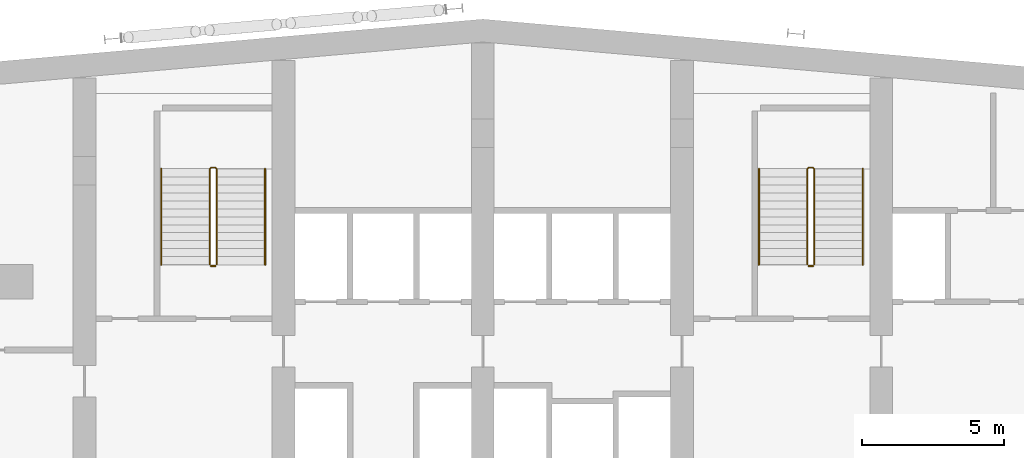
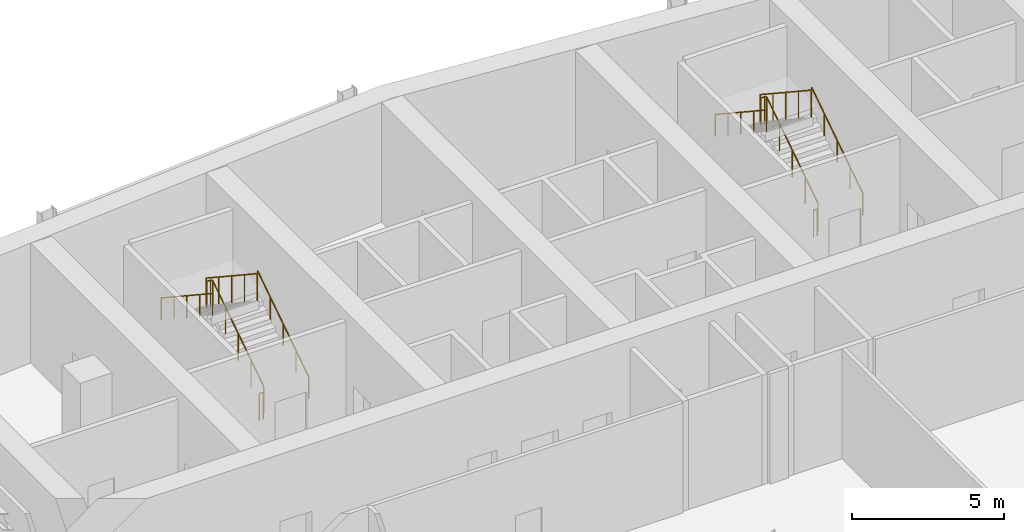
# One storey, part 34 of 35: 8 railings.
"""IFC4 building model written with IfcOpenShell, lengths in metres."""

import ifcopenshell
import ifcopenshell.guid

model = None  # the IFC model being written
_history = None  # IfcOwnerHistory: only IFC2X3 demands one
_inside = {}  # id of a spatial element -> (the spatial element, [elements in it])
_under = {}  # id of a project, library or spatial element -> (it, [spatial elements below it])
_declared = {}  # id of a project -> (the project, [libraries it declares])
_typed = {}  # id of a type object -> (the type object, [elements of that type])
_made_of = {}  # id of a material, layer set ... -> (it, [elements and type objects made of it])


def new_model(schema):
    """Start an empty IFC model of exactly this schema.

    Asked for "IFC4X3", IfcOpenShell would pick the latest addendum, in which some entities
    have other attributes; the version numbers below select the first issue.
    IFC2X3 requires an IfcOwnerHistory on every rooted entity: one is made here for all.
    """
    global model, _history
    if schema == "IFC4X3":
        model = ifcopenshell.file(schema_version=(4, 3, 0, 0))
    else:
        model = ifcopenshell.file(schema=schema)
    _inside.clear()
    _under.clear()
    _declared.clear()
    _typed.clear()
    _made_of.clear()
    _history = None
    if model.schema == "IFC2X3":
        org = make("IfcOrganization", Name="unknown")
        user = make(
            "IfcPersonAndOrganization",
            ThePerson=make("IfcPerson", FamilyName="unknown"),
            TheOrganization=org,
        )
        app = make(
            "IfcApplication",
            ApplicationDeveloper=org,
            Version="unknown",
            ApplicationFullName="unknown",
            ApplicationIdentifier="unknown",
        )
        _history = make(
            "IfcOwnerHistory",
            OwningUser=user,
            OwningApplication=app,
            ChangeAction="ADDED",
            CreationDate=0,
        )
    return model


def make(cls, **values):
    """One entity of the class cls with the attributes given. An attribute that is None is left unset."""
    return model.create_entity(
        cls, **{name: value for name, value in values.items() if value is not None}
    )


def rooted(cls, **values):
    """An entity with a GlobalId (a new one), such as an element, a storey or a relation."""
    return make(cls, GlobalId=ifcopenshell.guid.new(), OwnerHistory=_history, **values)


def si_unit(unit_type, name, prefix=None):
    """IfcSIUnit, for example si_unit("LENGTHUNIT", "METRE", prefix="MILLI")."""
    return make("IfcSIUnit", UnitType=unit_type, Prefix=prefix, Name=name)


def assignment(units):
    """IfcUnitAssignment: the units of a project."""
    return None if units is None else make("IfcUnitAssignment", Units=units)


def point(xyz):
    """IfcCartesianPoint."""
    return None if xyz is None else make("IfcCartesianPoint", Coordinates=xyz)


def direction(xyz):
    """IfcDirection."""
    return None if xyz is None else make("IfcDirection", DirectionRatios=xyz)


def frame(location, z_axis=None, x_axis=None):
    """IfcAxis2Placement3D, a coordinate frame: its origin and axes. An axis left out is left unset."""
    return make(
        "IfcAxis2Placement3D",
        Location=point(location),
        Axis=direction(z_axis),
        RefDirection=direction(x_axis),
    )


def frame_2d(location, x_axis=None):
    """IfcAxis2Placement2D, a coordinate frame in the plane: its origin and x axis."""
    return make(
        "IfcAxis2Placement2D", Location=point(location), RefDirection=direction(x_axis)
    )


def origin():
    """The frame at (0, 0, 0) with its axes left unset."""
    return frame((0.0, 0.0, 0.0))


def origin_2d():
    """The frame at (0, 0) in the plane with its x axis left unset."""
    return frame_2d((0.0, 0.0))


def place(relative_to, where):
    """IfcLocalPlacement: puts the frame where relative to a parent placement (None: the world)."""
    return make(
        "IfcLocalPlacement", PlacementRelTo=relative_to, RelativePlacement=where
    )


def context(
    kind, dimensions, precision=None, world=None, true_north=None, identifier=None
):
    """IfcGeometricRepresentationContext, for example the 3D "Model" context."""
    return make(
        "IfcGeometricRepresentationContext",
        ContextIdentifier=identifier,
        ContextType=kind,
        CoordinateSpaceDimension=dimensions,
        Precision=precision,
        WorldCoordinateSystem=world,
        TrueNorth=true_north,
    )


def subcontext(parent, identifier, kind, view, scale=None):
    """IfcGeometricRepresentationSubContext, for example "Body" below "Model"."""
    return make(
        "IfcGeometricRepresentationSubContext",
        ContextIdentifier=identifier,
        ContextType=kind,
        ParentContext=parent,
        TargetScale=scale,
        TargetView=view,
    )


def project(units=None, contexts=None):
    """IfcProject with its units and contexts."""
    return rooted(
        "IfcProject",
        Name="project",
        RepresentationContexts=contexts,
        UnitsInContext=assignment(units),
    )


def spatial(cls, under=None, at=None, **own):
    """A site, building, storey or space (cls), placed at a placement, below another one or the project."""
    s = rooted(cls, ObjectPlacement=at, **own)
    if under is not None:
        _under.setdefault(under.id(), (under, []))[1].append(s)
    return s


def profile(cls, at=None, kind="AREA", **sizes):
    """A parametric profile (cls). Its sizes go by their IFC names, for example OverallWidth=200.0."""
    return make(cls, ProfileType=kind, Position=at, **sizes)


def circle(**sizes):
    """IfcCircleProfileDef."""
    return profile("IfcCircleProfileDef", **sizes)


def extrude(swept, where, along, depth):
    """IfcExtrudedAreaSolid: the profile swept, set in the frame where, extruded along a direction by depth."""
    return make(
        "IfcExtrudedAreaSolid",
        SweptArea=swept,
        Position=where,
        ExtrudedDirection=direction(along),
        Depth=depth,
    )


def shape(context_of_items, identifier, shape_type, items):
    """IfcShapeRepresentation: the items that make up one representation, for example the "Body"."""
    return make(
        "IfcShapeRepresentation",
        ContextOfItems=context_of_items,
        RepresentationIdentifier=identifier,
        RepresentationType=shape_type,
        Items=items,
    )


def material(Name=None, Category=None):
    """IfcMaterial."""
    return make("IfcMaterial", Name=Name, Category=Category)


def made_of(thing, what):
    """Note that an element or type object is made of a material, layer set ...; save() writes the relation."""
    if what is not None:
        _made_of.setdefault(what.id(), (what, []))[1].append(thing)
    return thing


def type_object(cls, material=None, **own):
    """A type object (cls), such as IfcWallType, which elements share."""
    return made_of(rooted(cls, **own), material)


def element(
    cls,
    number,
    at=None,
    inside=None,
    cuts=None,
    type_object=None,
    material=None,
    context=None,
    identifier="Body",
    shape_type=None,
    held_by="IfcProductDefinitionShape",
    body=None,
    shapes=None,
    **own,
):
    """One element of the class cls, such as IfcWall. Its Tag is "e" and its number.

    at: its placement. inside: the storey or other place that contains it. cuts: it is an
    opening in that element (IfcRelVoidsElement). A single representation is given by context,
    identifier, shape_type and body (its items); several are given by shapes. held_by: the class
    of the entity that holds the representations. save() writes the other relations.
    """
    e = rooted(cls, Tag="e%d" % number, ObjectPlacement=at, **own)
    if body is not None:
        shapes = [shape(context, identifier, shape_type, body)]
    if shapes is not None:
        e.Representation = make(held_by, Representations=shapes)
    if inside is not None:
        _inside.setdefault(inside.id(), (inside, []))[1].append(e)
    if cuts is not None:
        rooted(
            "IfcRelVoidsElement", RelatingBuildingElement=cuts, RelatedOpeningElement=e
        )
    if type_object is not None:
        _typed.setdefault(type_object.id(), (type_object, []))[1].append(e)
    return made_of(e, material)


def aggregate(whole, parts):
    """IfcRelAggregates: a whole, such as a stair, and the parts it consists of."""
    return rooted("IfcRelAggregates", RelatingObject=whole, RelatedObjects=parts)


def save(model, path):
    """Write the relations noted so far, then the file.

    IfcRelAggregates (storeys below a building ...), IfcRelContainedInSpatialStructure (elements
    in a storey), IfcRelDefinesByType, IfcRelAssociatesMaterial and IfcRelDeclares: one each for
    every whole, place, type object, material and project.
    """
    for whole, parts in _under.values():
        aggregate(whole, parts)
    for where, things in _inside.values():
        rooted(
            "IfcRelContainedInSpatialStructure",
            RelatedElements=things,
            RelatingStructure=where,
        )
    for kind, things in _typed.values():
        rooted("IfcRelDefinesByType", RelatedObjects=things, RelatingType=kind)
    for what, things in _made_of.values():
        rooted("IfcRelAssociatesMaterial", RelatedObjects=things, RelatingMaterial=what)
    for by, libraries in _declared.values():
        rooted("IfcRelDeclares", RelatingContext=by, RelatedDefinitions=libraries)
    model.write(path)


model = new_model("IFC4")

# Units and contexts
model_context = context("Model", 3, precision=1e-05, world=origin(), true_north=direction((0.0, 1.0)))
body_context = subcontext(model_context, "Body", "Model", "MODEL_VIEW")
ifc_project = project(units=[si_unit("LENGTHUNIT", "METRE"), si_unit("AREAUNIT", "SQUARE_METRE"), si_unit("VOLUMEUNIT", "CUBIC_METRE"), si_unit("PLANEANGLEUNIT", "RADIAN"), si_unit("MASSUNIT", "GRAM", prefix="KILO")], contexts=[model_context])

# Site, building, storey
site_placement = place(None, origin())
site = spatial("IfcSite", under=ifc_project, at=site_placement, CompositionType="ELEMENT")
building_placement = place(site_placement, origin())
building = spatial("IfcBuilding", under=site, at=building_placement, Name="Wharfspan Tower", CompositionType="ELEMENT")
storey_placement = place(building_placement, frame((0.0, 0.0, 202.300049)))
storey = spatial("IfcBuildingStorey", under=building, at=storey_placement, Name="L50", CompositionType="ELEMENT", Elevation=202.300049)

# Railings
ifc_material = material(Name="Steel S355J2", Category="steel")
railing_type_1 = type_object("IfcRailingType", Name="Stair guard 1100", PredefinedType="GUARDRAIL", material=ifc_material)
railing_1_placement = place(storey_placement, frame((27.649902, 42.0, 0.18457)))
element("IfcRailing", 1, at=railing_1_placement, inside=storey, type_object=railing_type_1, Name="L50 ST1 stair guard 1", PredefinedType="GUARDRAIL", context=body_context, shape_type="SweptSolid", body=[
    extrude(circle(Radius=0.023926, at=origin_2d()), frame((0.0, 0.0, 1.076172), z_axis=(0.0, 0.834876, 0.550437), x_axis=(-1.0, 0.0, 0.0)), (0.0, 0.0, 1.0), 4.024658),
    extrude(circle(Radius=0.023926, at=origin_2d()), frame((0.0, 3.360107, 3.291504), z_axis=(-0.707107, 0.707107, 0.0), x_axis=(-0.707107, -0.707107, 0.0)), (0.0, 0.0, 1.0), 0.070312),
    extrude(circle(Radius=0.023926, at=origin_2d()), frame((-0.049805, 3.409912, 3.291504), z_axis=(-1.0, 0.0, 0.0), x_axis=(0.0, -1.0, 0.0)), (0.0, 0.0, 1.0), 0.150146),
    extrude(circle(Radius=0.023926, at=origin_2d()), frame((-0.199951, 3.409912, 3.291504), z_axis=(-0.253265, -0.252029, 0.933991), x_axis=(0.705374, -0.708837, -1e-06)), (0.0, 0.0, 1.0), 0.19751),
    extrude(circle(Radius=0.023926, at=origin_2d()), frame((-0.25, 3.360107, 3.476074), z_axis=(0.0, -0.834849, 0.55048), x_axis=(1.0, 0.0, 0.0)), (0.0, 0.0, 1.0), 4.024902),
    extrude(circle(Radius=0.020996, at=origin_2d()), origin(), (0.0, 0.0, 1.0), 1.052002),
    extrude(circle(Radius=0.020996, at=origin_2d()), frame((0.0, 0.840088, 0.553711)), (0.0, 0.0, 1.0), 1.052002),
    extrude(circle(Radius=0.020996, at=origin_2d()), frame((0.0, 1.680176, 1.107666)), (0.0, 0.0, 1.0), 1.052002),
    extrude(circle(Radius=0.020996, at=origin_2d()), frame((0.0, 2.52002, 1.661621)), (0.0, 0.0, 1.0), 1.052002),
    extrude(circle(Radius=0.020996, at=origin_2d()), frame((0.0, 3.360107, 2.215332)), (0.0, 0.0, 1.0), 1.052002),
    extrude(circle(Radius=0.020996, at=origin_2d()), frame((-0.049805, 3.409912, 2.215332)), (0.0, 0.0, 1.0), 1.052002),
    extrude(circle(Radius=0.020996, at=origin_2d()), frame((-0.199951, 3.409912, 2.215332)), (0.0, 0.0, 1.0), 1.052002),
    extrude(circle(Radius=0.020996, at=origin_2d()), frame((-0.25, 3.360107, 2.399902)), (0.0, 0.0, 1.0), 1.052002),
    extrude(circle(Radius=0.020996, at=origin_2d()), frame((-0.25, 2.52002, 2.953857)), (0.0, 0.0, 1.0), 1.052002),
    extrude(circle(Radius=0.020996, at=origin_2d()), frame((-0.25, 1.680176, 3.507812)), (0.0, 0.0, 1.0), 1.052002),
    extrude(circle(Radius=0.020996, at=origin_2d()), frame((-0.25, 0.840088, 4.061523)), (0.0, 0.0, 1.0), 1.052002),
    extrude(circle(Radius=0.020996, at=origin_2d()), frame((-0.25, 0.0, 4.615479)), (0.0, 0.0, 1.0), 1.052002),
])
railing_2_placement = place(storey_placement, frame((27.600098, 41.949951, 0.0)))
element("IfcRailing", 2, at=railing_2_placement, inside=storey, type_object=railing_type_1, Name="L50 ST1 stair guard 2", PredefinedType="GUARDRAIL", context=body_context, shape_type="SweptSolid", body=[
    extrude(circle(Radius=0.023926, at=origin_2d()), frame((0.0, 0.0, 1.076172), z_axis=(-1.0, 0.0, 0.0), x_axis=(0.0, -1.0, 0.0)), (0.0, 0.0, 1.0), 0.150146),
    extrude(circle(Radius=0.020996, at=origin_2d()), origin(), (0.0, 0.0, 1.0), 1.052002),
    extrude(circle(Radius=0.020996, at=origin_2d()), frame((-0.150146, 0.0, 0.0)), (0.0, 0.0, 1.0), 1.052002),
])
railing_3_placement = place(storey_placement, frame((48.649902, 42.0, 0.18457)))
element("IfcRailing", 3, at=railing_3_placement, inside=storey, type_object=railing_type_1, Name="L50 ST2 stair guard 1", PredefinedType="GUARDRAIL", context=body_context, shape_type="SweptSolid", body=[
    extrude(circle(Radius=0.023926, at=origin_2d()), frame((0.0, 0.0, 1.076172), z_axis=(0.0, 0.834876, 0.550437), x_axis=(-1.0, 0.0, 0.0)), (0.0, 0.0, 1.0), 4.024658),
    extrude(circle(Radius=0.023926, at=origin_2d()), frame((0.0, 3.360107, 3.291504), z_axis=(-0.707107, 0.707107, 0.0), x_axis=(-0.707107, -0.707107, 0.0)), (0.0, 0.0, 1.0), 0.070312),
    extrude(circle(Radius=0.023926, at=origin_2d()), frame((-0.049805, 3.409912, 3.291504), z_axis=(-1.0, 0.0, 0.0), x_axis=(0.0, -1.0, 0.0)), (0.0, 0.0, 1.0), 0.150146),
    extrude(circle(Radius=0.023926, at=origin_2d()), frame((-0.199951, 3.409912, 3.291504), z_axis=(-0.253265, -0.252029, 0.933991), x_axis=(0.705374, -0.708837, -1e-06)), (0.0, 0.0, 1.0), 0.19751),
    extrude(circle(Radius=0.023926, at=origin_2d()), frame((-0.25, 3.360107, 3.476074), z_axis=(0.0, -0.834849, 0.55048), x_axis=(1.0, 0.0, 0.0)), (0.0, 0.0, 1.0), 4.024902),
    extrude(circle(Radius=0.020996, at=origin_2d()), origin(), (0.0, 0.0, 1.0), 1.052002),
    extrude(circle(Radius=0.020996, at=origin_2d()), frame((0.0, 0.840088, 0.553711)), (0.0, 0.0, 1.0), 1.052002),
    extrude(circle(Radius=0.020996, at=origin_2d()), frame((0.0, 1.680176, 1.107666)), (0.0, 0.0, 1.0), 1.052002),
    extrude(circle(Radius=0.020996, at=origin_2d()), frame((0.0, 2.52002, 1.661621)), (0.0, 0.0, 1.0), 1.052002),
    extrude(circle(Radius=0.020996, at=origin_2d()), frame((0.0, 3.360107, 2.215332)), (0.0, 0.0, 1.0), 1.052002),
    extrude(circle(Radius=0.020996, at=origin_2d()), frame((-0.049805, 3.409912, 2.215332)), (0.0, 0.0, 1.0), 1.052002),
    extrude(circle(Radius=0.020996, at=origin_2d()), frame((-0.199951, 3.409912, 2.215332)), (0.0, 0.0, 1.0), 1.052002),
    extrude(circle(Radius=0.020996, at=origin_2d()), frame((-0.25, 3.360107, 2.399902)), (0.0, 0.0, 1.0), 1.052002),
    extrude(circle(Radius=0.020996, at=origin_2d()), frame((-0.25, 2.52002, 2.953857)), (0.0, 0.0, 1.0), 1.052002),
    extrude(circle(Radius=0.020996, at=origin_2d()), frame((-0.25, 1.680176, 3.507812)), (0.0, 0.0, 1.0), 1.052002),
    extrude(circle(Radius=0.020996, at=origin_2d()), frame((-0.25, 0.840088, 4.061523)), (0.0, 0.0, 1.0), 1.052002),
    extrude(circle(Radius=0.020996, at=origin_2d()), frame((-0.25, 0.0, 4.615479)), (0.0, 0.0, 1.0), 1.052002),
])
railing_4_placement = place(storey_placement, frame((48.600098, 41.949951, 0.0)))
element("IfcRailing", 4, at=railing_4_placement, inside=storey, type_object=railing_type_1, Name="L50 ST2 stair guard 2", PredefinedType="GUARDRAIL", context=body_context, shape_type="SweptSolid", body=[
    extrude(circle(Radius=0.023926, at=origin_2d()), frame((0.0, 0.0, 1.076172), z_axis=(-1.0, 0.0, 0.0), x_axis=(0.0, -1.0, 0.0)), (0.0, 0.0, 1.0), 0.150146),
    extrude(circle(Radius=0.020996, at=origin_2d()), origin(), (0.0, 0.0, 1.0), 1.052002),
    extrude(circle(Radius=0.020996, at=origin_2d()), frame((-0.150146, 0.0, 0.0)), (0.0, 0.0, 1.0), 1.052002),
])
railing_type_2 = type_object("IfcRailingType", Name="Stair handrail 900", PredefinedType="HANDRAIL", material=ifc_material)
railing_5_placement = place(storey_placement, frame((29.350098, 42.0, 0.18457)))
element("IfcRailing", 5, at=railing_5_placement, inside=storey, type_object=railing_type_2, Name="L50 ST1 stair handrail 1", PredefinedType="HANDRAIL", context=body_context, shape_type="SweptSolid", body=[
    extrude(circle(Radius=0.023926, at=origin_2d()), frame((0.0, 0.0, 0.875977), z_axis=(0.0, 0.834876, 0.550437), x_axis=(-1.0, 0.0, 0.0)), (0.0, 0.0, 1.0), 4.024658),
    extrude(circle(Radius=0.020996, at=origin_2d()), origin(), (0.0, 0.0, 1.0), 0.851807),
    extrude(circle(Radius=0.020996, at=origin_2d()), frame((0.0, 0.840088, 0.553711)), (0.0, 0.0, 1.0), 0.851807),
    extrude(circle(Radius=0.020996, at=origin_2d()), frame((0.0, 1.680176, 1.107666)), (0.0, 0.0, 1.0), 0.851807),
    extrude(circle(Radius=0.020996, at=origin_2d()), frame((0.0, 2.52002, 1.661621)), (0.0, 0.0, 1.0), 0.851807),
    extrude(circle(Radius=0.020996, at=origin_2d()), frame((0.0, 3.360107, 2.215332)), (0.0, 0.0, 1.0), 0.851807),
])
railing_6_placement = place(storey_placement, frame((25.699951, 45.360107, 2.584473)))
element("IfcRailing", 6, at=railing_6_placement, inside=storey, type_object=railing_type_2, Name="L50 ST1 stair handrail 2", PredefinedType="HANDRAIL", context=body_context, shape_type="SweptSolid", body=[
    extrude(circle(Radius=0.023926, at=origin_2d()), frame((0.0, 0.0, 0.875977), z_axis=(0.0, -0.834849, 0.55048), x_axis=(1.0, 0.0, 0.0)), (0.0, 0.0, 1.0), 4.024902),
    extrude(circle(Radius=0.020996, at=origin_2d()), origin(), (0.0, 0.0, 1.0), 0.851807),
    extrude(circle(Radius=0.020996, at=origin_2d()), frame((0.0, -0.840088, 0.553955)), (0.0, 0.0, 1.0), 0.851807),
    extrude(circle(Radius=0.020996, at=origin_2d()), frame((0.0, -1.680176, 1.10791)), (0.0, 0.0, 1.0), 0.851807),
    extrude(circle(Radius=0.020996, at=origin_2d()), frame((0.0, -2.52002, 1.661621)), (0.0, 0.0, 1.0), 0.851807),
    extrude(circle(Radius=0.020996, at=origin_2d()), frame((0.0, -3.360107, 2.215576)), (0.0, 0.0, 1.0), 0.851807),
])
railing_7_placement = place(storey_placement, frame((50.350098, 42.0, 0.18457)))
element("IfcRailing", 7, at=railing_7_placement, inside=storey, type_object=railing_type_2, Name="L50 ST2 stair handrail 1", PredefinedType="HANDRAIL", context=body_context, shape_type="SweptSolid", body=[
    extrude(circle(Radius=0.023926, at=origin_2d()), frame((0.0, 0.0, 0.875977), z_axis=(0.0, 0.834876, 0.550437), x_axis=(-1.0, 0.0, 0.0)), (0.0, 0.0, 1.0), 4.024658),
    extrude(circle(Radius=0.020996, at=origin_2d()), origin(), (0.0, 0.0, 1.0), 0.851807),
    extrude(circle(Radius=0.020996, at=origin_2d()), frame((0.0, 0.840088, 0.553711)), (0.0, 0.0, 1.0), 0.851807),
    extrude(circle(Radius=0.020996, at=origin_2d()), frame((0.0, 1.680176, 1.107666)), (0.0, 0.0, 1.0), 0.851807),
    extrude(circle(Radius=0.020996, at=origin_2d()), frame((0.0, 2.52002, 1.661621)), (0.0, 0.0, 1.0), 0.851807),
    extrude(circle(Radius=0.020996, at=origin_2d()), frame((0.0, 3.360107, 2.215332)), (0.0, 0.0, 1.0), 0.851807),
])
railing_8_placement = place(storey_placement, frame((46.699951, 45.360107, 2.584473)))
element("IfcRailing", 8, at=railing_8_placement, inside=storey, type_object=railing_type_2, Name="L50 ST2 stair handrail 2", PredefinedType="HANDRAIL", context=body_context, shape_type="SweptSolid", body=[
    extrude(circle(Radius=0.023926, at=origin_2d()), frame((0.0, 0.0, 0.875977), z_axis=(0.0, -0.834849, 0.55048), x_axis=(1.0, 0.0, 0.0)), (0.0, 0.0, 1.0), 4.024902),
    extrude(circle(Radius=0.020996, at=origin_2d()), origin(), (0.0, 0.0, 1.0), 0.851807),
    extrude(circle(Radius=0.020996, at=origin_2d()), frame((0.0, -0.840088, 0.553955)), (0.0, 0.0, 1.0), 0.851807),
    extrude(circle(Radius=0.020996, at=origin_2d()), frame((0.0, -1.680176, 1.10791)), (0.0, 0.0, 1.0), 0.851807),
    extrude(circle(Radius=0.020996, at=origin_2d()), frame((0.0, -2.52002, 1.661621)), (0.0, 0.0, 1.0), 0.851807),
    extrude(circle(Radius=0.020996, at=origin_2d()), frame((0.0, -3.360107, 2.215576)), (0.0, 0.0, 1.0), 0.851807),
])

save(model, "model.ifc")
